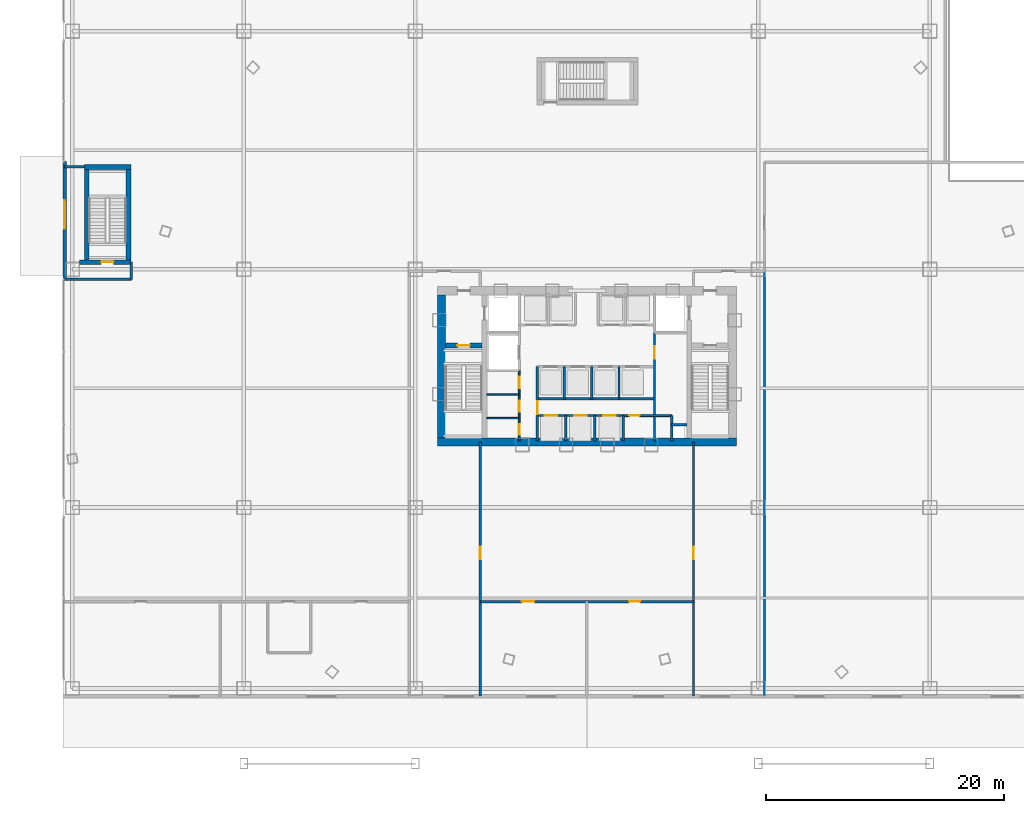
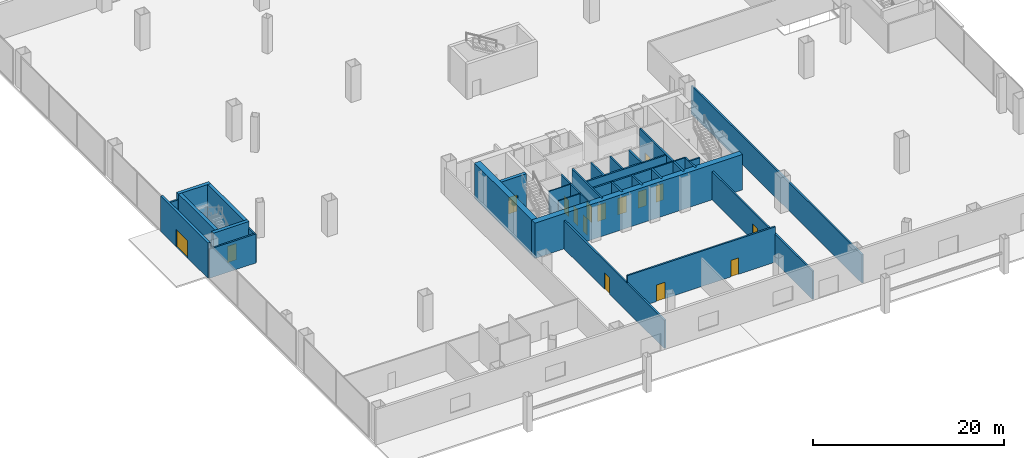
# One storey, part 50 of 58: 31 walls, 16 doors, 16 openings.
"""IFC4 building model written with IfcOpenShell, lengths in metres."""

import ifcopenshell
import ifcopenshell.guid

model = None  # the IFC model being written
_history = None  # IfcOwnerHistory: only IFC2X3 demands one
_inside = {}  # id of a spatial element -> (the spatial element, [elements in it])
_under = {}  # id of a project, library or spatial element -> (it, [spatial elements below it])
_declared = {}  # id of a project -> (the project, [libraries it declares])
_typed = {}  # id of a type object -> (the type object, [elements of that type])
_made_of = {}  # id of a material, layer set ... -> (it, [elements and type objects made of it])


def new_model(schema):
    """Start an empty IFC model of exactly this schema.

    Asked for "IFC4X3", IfcOpenShell would pick the latest addendum, in which some entities
    have other attributes; the version numbers below select the first issue.
    IFC2X3 requires an IfcOwnerHistory on every rooted entity: one is made here for all.
    """
    global model, _history
    if schema == "IFC4X3":
        model = ifcopenshell.file(schema_version=(4, 3, 0, 0))
    else:
        model = ifcopenshell.file(schema=schema)
    _inside.clear()
    _under.clear()
    _declared.clear()
    _typed.clear()
    _made_of.clear()
    _history = None
    if model.schema == "IFC2X3":
        org = make("IfcOrganization", Name="unknown")
        user = make(
            "IfcPersonAndOrganization",
            ThePerson=make("IfcPerson", FamilyName="unknown"),
            TheOrganization=org,
        )
        app = make(
            "IfcApplication",
            ApplicationDeveloper=org,
            Version="unknown",
            ApplicationFullName="unknown",
            ApplicationIdentifier="unknown",
        )
        _history = make(
            "IfcOwnerHistory",
            OwningUser=user,
            OwningApplication=app,
            ChangeAction="ADDED",
            CreationDate=0,
        )
    return model


def make(cls, **values):
    """One entity of the class cls with the attributes given. An attribute that is None is left unset."""
    return model.create_entity(
        cls, **{name: value for name, value in values.items() if value is not None}
    )


def rooted(cls, **values):
    """An entity with a GlobalId (a new one), such as an element, a storey or a relation."""
    return make(cls, GlobalId=ifcopenshell.guid.new(), OwnerHistory=_history, **values)


def si_unit(unit_type, name, prefix=None):
    """IfcSIUnit, for example si_unit("LENGTHUNIT", "METRE", prefix="MILLI")."""
    return make("IfcSIUnit", UnitType=unit_type, Prefix=prefix, Name=name)


def assignment(units):
    """IfcUnitAssignment: the units of a project."""
    return None if units is None else make("IfcUnitAssignment", Units=units)


def point(xyz):
    """IfcCartesianPoint."""
    return None if xyz is None else make("IfcCartesianPoint", Coordinates=xyz)


def direction(xyz):
    """IfcDirection."""
    return None if xyz is None else make("IfcDirection", DirectionRatios=xyz)


def frame(location, z_axis=None, x_axis=None):
    """IfcAxis2Placement3D, a coordinate frame: its origin and axes. An axis left out is left unset."""
    return make(
        "IfcAxis2Placement3D",
        Location=point(location),
        Axis=direction(z_axis),
        RefDirection=direction(x_axis),
    )


def frame_2d(location, x_axis=None):
    """IfcAxis2Placement2D, a coordinate frame in the plane: its origin and x axis."""
    return make(
        "IfcAxis2Placement2D", Location=point(location), RefDirection=direction(x_axis)
    )


def origin():
    """The frame at (0, 0, 0) with its axes left unset."""
    return frame((0.0, 0.0, 0.0))


def origin_with_axes():
    """The frame at (0, 0, 0) with the z axis (0, 0, 1) and the x axis (1, 0, 0) written out."""
    return frame((0.0, 0.0, 0.0), z_axis=(0.0, 0.0, 1.0), x_axis=(1.0, 0.0, 0.0))


def place(relative_to, where):
    """IfcLocalPlacement: puts the frame where relative to a parent placement (None: the world)."""
    return make(
        "IfcLocalPlacement", PlacementRelTo=relative_to, RelativePlacement=where
    )


def context(
    kind, dimensions, precision=None, world=None, true_north=None, identifier=None
):
    """IfcGeometricRepresentationContext, for example the 3D "Model" context."""
    return make(
        "IfcGeometricRepresentationContext",
        ContextIdentifier=identifier,
        ContextType=kind,
        CoordinateSpaceDimension=dimensions,
        Precision=precision,
        WorldCoordinateSystem=world,
        TrueNorth=true_north,
    )


def subcontext(parent, identifier, kind, view, scale=None):
    """IfcGeometricRepresentationSubContext, for example "Body" below "Model"."""
    return make(
        "IfcGeometricRepresentationSubContext",
        ContextIdentifier=identifier,
        ContextType=kind,
        ParentContext=parent,
        TargetScale=scale,
        TargetView=view,
    )


def project(units=None, contexts=None):
    """IfcProject with its units and contexts."""
    return rooted(
        "IfcProject",
        Name="project",
        RepresentationContexts=contexts,
        UnitsInContext=assignment(units),
    )


def spatial(cls, under=None, at=None, **own):
    """A site, building, storey or space (cls), placed at a placement, below another one or the project."""
    s = rooted(cls, ObjectPlacement=at, **own)
    if under is not None:
        _under.setdefault(under.id(), (under, []))[1].append(s)
    return s


def profile(cls, at=None, kind="AREA", **sizes):
    """A parametric profile (cls). Its sizes go by their IFC names, for example OverallWidth=200.0."""
    return make(cls, ProfileType=kind, Position=at, **sizes)


def rectangle(**sizes):
    """IfcRectangleProfileDef."""
    return profile("IfcRectangleProfileDef", **sizes)


def extrude(swept, where, along, depth):
    """IfcExtrudedAreaSolid: the profile swept, set in the frame where, extruded along a direction by depth."""
    return make(
        "IfcExtrudedAreaSolid",
        SweptArea=swept,
        Position=where,
        ExtrudedDirection=direction(along),
        Depth=depth,
    )


def shape(context_of_items, identifier, shape_type, items):
    """IfcShapeRepresentation: the items that make up one representation, for example the "Body"."""
    return make(
        "IfcShapeRepresentation",
        ContextOfItems=context_of_items,
        RepresentationIdentifier=identifier,
        RepresentationType=shape_type,
        Items=items,
    )


def source(mapping_origin, context_of_items, identifier, shape_type, items):
    """IfcRepresentationMap: a shape defined once, which mapped items show again and again."""
    return make(
        "IfcRepresentationMap",
        MappingOrigin=mapping_origin,
        MappedRepresentation=shape(context_of_items, identifier, shape_type, items),
    )


def transform(
    local_origin,
    x_axis=None,
    y_axis=None,
    z_axis=None,
    scale=None,
    scale2=None,
    scale3=None,
    uniform=True,
):
    """IfcCartesianTransformationOperator3D, or its non-uniform kind. x_axis, y_axis, z_axis: its Axis1, 2, 3."""
    if uniform:
        return make(
            "IfcCartesianTransformationOperator3D",
            Axis1=direction(x_axis),
            Axis2=direction(y_axis),
            LocalOrigin=point(local_origin),
            Scale=scale,
            Axis3=direction(z_axis),
        )
    return make(
        "IfcCartesianTransformationOperator3DnonUniform",
        Axis1=direction(x_axis),
        Axis2=direction(y_axis),
        LocalOrigin=point(local_origin),
        Scale=scale,
        Axis3=direction(z_axis),
        Scale2=scale2,
        Scale3=scale3,
    )


def mapped(mapping_source, mapping_target):
    """IfcMappedItem: shows the shape of a source again, moved by a transform."""
    return make(
        "IfcMappedItem", MappingSource=mapping_source, MappingTarget=mapping_target
    )


def material(Name=None, Category=None):
    """IfcMaterial."""
    return make("IfcMaterial", Name=Name, Category=Category)


def layer(
    of_material, thickness, ventilated=None, Name=None, Category=None, Priority=None
):
    """IfcMaterialLayer: one layer of a wall or slab, of a material (None: an air gap)."""
    return make(
        "IfcMaterialLayer",
        Material=of_material,
        LayerThickness=thickness,
        IsVentilated=ventilated,
        Name=Name,
        Category=Category,
        Priority=Priority,
    )


def layer_set(layers, Name=None):
    """IfcMaterialLayerSet."""
    return make("IfcMaterialLayerSet", MaterialLayers=layers, LayerSetName=Name)


def made_of(thing, what):
    """Note that an element or type object is made of a material, layer set ...; save() writes the relation."""
    if what is not None:
        _made_of.setdefault(what.id(), (what, []))[1].append(thing)
    return thing


def type_object(cls, material=None, **own):
    """A type object (cls), such as IfcWallType, which elements share."""
    return made_of(rooted(cls, **own), material)


def element(
    cls,
    number,
    at=None,
    inside=None,
    cuts=None,
    type_object=None,
    material=None,
    context=None,
    identifier="Body",
    shape_type=None,
    held_by="IfcProductDefinitionShape",
    body=None,
    shapes=None,
    **own,
):
    """One element of the class cls, such as IfcWall. Its Tag is "e" and its number.

    at: its placement. inside: the storey or other place that contains it. cuts: it is an
    opening in that element (IfcRelVoidsElement). A single representation is given by context,
    identifier, shape_type and body (its items); several are given by shapes. held_by: the class
    of the entity that holds the representations. save() writes the other relations.
    """
    e = rooted(cls, Tag="e%d" % number, ObjectPlacement=at, **own)
    if body is not None:
        shapes = [shape(context, identifier, shape_type, body)]
    if shapes is not None:
        e.Representation = make(held_by, Representations=shapes)
    if inside is not None:
        _inside.setdefault(inside.id(), (inside, []))[1].append(e)
    if cuts is not None:
        rooted(
            "IfcRelVoidsElement", RelatingBuildingElement=cuts, RelatedOpeningElement=e
        )
    if type_object is not None:
        _typed.setdefault(type_object.id(), (type_object, []))[1].append(e)
    return made_of(e, material)


def fill(opening, filler):
    """IfcRelFillsElement: the door or window that sits in an opening."""
    return rooted(
        "IfcRelFillsElement",
        RelatingOpeningElement=opening,
        RelatedBuildingElement=filler,
    )


def aggregate(whole, parts):
    """IfcRelAggregates: a whole, such as a stair, and the parts it consists of."""
    return rooted("IfcRelAggregates", RelatingObject=whole, RelatedObjects=parts)


def save(model, path):
    """Write the relations noted so far, then the file.

    IfcRelAggregates (storeys below a building ...), IfcRelContainedInSpatialStructure (elements
    in a storey), IfcRelDefinesByType, IfcRelAssociatesMaterial and IfcRelDeclares: one each for
    every whole, place, type object, material and project.
    """
    for whole, parts in _under.values():
        aggregate(whole, parts)
    for where, things in _inside.values():
        rooted(
            "IfcRelContainedInSpatialStructure",
            RelatedElements=things,
            RelatingStructure=where,
        )
    for kind, things in _typed.values():
        rooted("IfcRelDefinesByType", RelatedObjects=things, RelatingType=kind)
    for what, things in _made_of.values():
        rooted("IfcRelAssociatesMaterial", RelatedObjects=things, RelatingMaterial=what)
    for by, libraries in _declared.values():
        rooted("IfcRelDeclares", RelatingContext=by, RelatedDefinitions=libraries)
    model.write(path)


model = new_model("IFC4")

# Units and contexts
model_context = context("Model", 3, precision=1e-05, world=origin(), true_north=direction((0.0, 1.0)))
body_context = subcontext(model_context, "Body", "Model", "MODEL_VIEW")
ifc_project = project(units=[si_unit("LENGTHUNIT", "METRE"), si_unit("AREAUNIT", "SQUARE_METRE"), si_unit("VOLUMEUNIT", "CUBIC_METRE"), si_unit("PLANEANGLEUNIT", "RADIAN"), si_unit("MASSUNIT", "GRAM", prefix="KILO"), si_unit("THERMODYNAMICTEMPERATUREUNIT", "KELVIN"), si_unit("POWERUNIT", "WATT")], contexts=[model_context])

# Site, building, storey
site_placement = place(None, origin())
site = spatial("IfcSite", under=ifc_project, at=site_placement, CompositionType="ELEMENT")
building_placement = place(site_placement, origin())
building = spatial("IfcBuilding", under=site, at=building_placement, Name="Yunzhuo Pagoda Commons", CompositionType="ELEMENT")
storey_placement = place(building_placement, origin())
storey = spatial("IfcBuildingStorey", under=building, at=storey_placement, Name="L01", CompositionType="ELEMENT", Elevation=0.0)

# Walls
ifc_material_1 = material(Name="Concrete C60", Category="concrete")
ifc_layer_1 = layer(ifc_material_1, 0.699951171875)
ifc_layer_set_1 = layer_set([ifc_layer_1], Name="Concrete C60")
wall_type_1 = type_object("IfcWallType", Name="W-C01 Lower Core Shear Wall 700", PredefinedType="SHEAR", material=ifc_layer_set_1)
wall_1_placement = place(storey_placement, frame((35.449951171875, 27.5, 0.0), z_axis=(0.0, 0.0, 1.0), x_axis=(1.0, 0.0, 0.0)))
element("IfcWall", 1, at=wall_1_placement, inside=storey, type_object=wall_type_1, Name="L01 core shear wall S", PredefinedType="SHEAR", context=body_context, shape_type="SweptSolid", body=[
    extrude(rectangle(XDim=25.10009765625, YDim=0.699951171875, at=frame_2d((12.550048828125, 0.0))), origin(), (0.0, 0.0, 1.0), 4.52001953125),
])
wall_2_placement = place(storey_placement, frame((35.800048828125, 27.85009765625, 0.0), z_axis=(0.0, 0.0, 1.0), x_axis=(0.0, 1.0, 0.0)))
element("IfcWall", 2, at=wall_2_placement, inside=storey, type_object=wall_type_1, Name="L01 core shear wall W", PredefinedType="SHEAR", context=body_context, shape_type="SweptSolid", body=[
    extrude(rectangle(XDim=12.0, YDim=0.699951171875, at=frame_2d((6.0, 0.0))), origin(), (0.0, 0.0, 1.0), 4.52001953125),
])

# Wall, openings, doors
ifc_material_2 = material(Name="Gypsum plasterboard on acoustic stud")
ifc_layer_2 = layer(ifc_material_2, 0.159912109375)
ifc_layer_set_2 = layer_set([ifc_layer_2], Name="Gypsum plasterboard on acoustic stud")
wall_type_2 = type_object("IfcWallType", Name="W-COR1 Tower Rated Corridor Wall 160", PredefinedType="PARTITIONING", material=ifc_layer_set_2)
wall_3_placement = place(storey_placement, frame((42.320068359375, 27.60009765625, 0.0), z_axis=(0.0, 0.0, 1.0), x_axis=(0.0, 1.0, 0.0)))
wall_3 = element("IfcWall", 3, at=wall_3_placement, inside=storey, type_object=wall_type_2, Name="L01 interior wall IW-L01-CSWE", PredefinedType="PARTITIONING", context=body_context, shape_type="SweptSolid", body=[
    extrude(rectangle(XDim=5.89990234375, YDim=0.159912109375, at=frame_2d((2.949951171875, 0.0))), origin(), (0.0, 0.0, 1.0), 4.52001953125),
])
opening_1_placement = place(wall_3_placement, frame((0.5, 0.0, 0.0)))
opening_1 = element("IfcOpeningElement", 4, at=opening_1_placement, cuts=wall_3, Name="Opening D-03", PredefinedType="OPENING", context=body_context, shape_type="SweptSolid", body=[
    extrude(rectangle(XDim=0.89990234375, YDim=2.10009765625, at=frame_2d((0.449951171875, 1.050048828125))), frame((0.0, 0.08984375, 0.0), z_axis=(0.0, -1.0, 0.0), x_axis=(1.0, 0.0, 0.0)), (0.0, 0.0, 1.0), 0.179931640625),
])
opening_2_placement = place(wall_3_placement, frame((2.449951171875, 0.0, 0.0)))
opening_2 = element("IfcOpeningElement", 5, at=opening_2_placement, cuts=wall_3, Name="Opening D-03", PredefinedType="OPENING", context=body_context, shape_type="SweptSolid", body=[
    extrude(rectangle(XDim=0.89990234375, YDim=2.10009765625, at=frame_2d((0.449951171875, 1.050048828125))), frame((0.0, 0.08984375, 0.0), z_axis=(0.0, -1.0, 0.0), x_axis=(1.0, 0.0, 0.0)), (0.0, 0.0, 1.0), 0.179931640625),
])
opening_3_placement = place(wall_3_placement, frame((4.419921875, 0.0, 0.0)))
opening_3 = element("IfcOpeningElement", 6, at=opening_3_placement, cuts=wall_3, Name="Opening D-11", PredefinedType="OPENING", context=body_context, shape_type="SweptSolid", body=[
    extrude(rectangle(XDim=0.93994140625, YDim=2.10009765625, at=frame_2d((0.469970703125, 1.050048828125))), frame((0.0, 0.08984375, 0.0), z_axis=(0.0, -1.0, 0.0), x_axis=(1.0, 0.0, 0.0)), (0.0, 0.0, 1.0), 0.179931640625),
])
ifc_material_3 = material(Name="Galvanized fire-resisting metal leaf")
door_type_1 = type_object("IfcDoorType", Name="D-03 Core Service Fire Door 900x2100", OperationType="NOTDEFINED", PredefinedType="DOOR", material=ifc_material_3)
shared_shape_1 = source(origin(), body_context, "Body", "SweptSolid", [
    extrude(rectangle(XDim=0.89990234375, YDim=2.10009765625, at=frame_2d((0.449951171875, 1.050048828125))), frame((0.0, 0.02490234375, 0.0), z_axis=(0.0, -1.0, 0.0), x_axis=(1.0, 0.0, 0.0)), (0.0, 0.0, 1.0), 0.050048828125),
])
door_1_placement = place(opening_1_placement, origin_with_axes())
door_1 = element("IfcDoor", 7, at=door_1_placement, inside=storey, type_object=door_type_1, Name="L01 switch door", OperationType="SINGLE_SWING_RIGHT", OverallHeight=2.10009765625, OverallWidth=0.89990234375, PredefinedType="DOOR", context=body_context, shape_type="MappedRepresentation", body=[
    mapped(shared_shape_1, transform((0.0, 0.0, 0.0), scale=1.0)),
])
fill(opening_1, door_1)
door_2_placement = place(opening_2_placement, origin_with_axes())
door_2 = element("IfcDoor", 8, at=door_2_placement, inside=storey, type_object=door_type_1, Name="L01 cleaner door", OperationType="SINGLE_SWING_RIGHT", OverallHeight=2.10009765625, OverallWidth=0.89990234375, PredefinedType="DOOR", context=body_context, shape_type="MappedRepresentation", body=[
    mapped(shared_shape_1, transform((0.0, 0.0, 0.0), scale=1.0)),
])
fill(opening_2, door_2)
door_type_2 = type_object("IfcDoorType", Name="D-11 Accessible Washroom Fire Door 940x2100", OperationType="NOTDEFINED", PredefinedType="DOOR", material=ifc_material_3)
shared_shape_2 = source(origin(), body_context, "Body", "SweptSolid", [
    extrude(rectangle(XDim=0.93994140625, YDim=2.10009765625, at=frame_2d((0.469970703125, 1.050048828125))), frame((0.0, 0.02490234375, 0.0), z_axis=(0.0, -1.0, 0.0), x_axis=(1.0, 0.0, 0.0)), (0.0, 0.0, 1.0), 0.050048828125),
])
door_3_placement = place(opening_3_placement, origin_with_axes())
door_3 = element("IfcDoor", 9, at=door_3_placement, inside=storey, type_object=door_type_2, Name="L01 core WC door", OperationType="SINGLE_SWING_LEFT", OverallHeight=2.10009765625, OverallWidth=0.93994140625, PredefinedType="DOOR", context=body_context, shape_type="MappedRepresentation", body=[
    mapped(shared_shape_2, transform((0.0, 0.0, 0.0), scale=1.0)),
])
fill(opening_3, door_3)

# Wall, opening, door
wall_4_placement = place(storey_placement, frame((51.050048828125, 29.719970703125, 0.0), z_axis=(0.0, 0.0, 1.0), x_axis=(1.0, 0.0, 0.0)))
wall_4 = element("IfcWall", 10, at=wall_4_placement, inside=storey, type_object=wall_type_2, Name="L01 interior wall IW-L01-CSES", PredefinedType="PARTITIONING", context=body_context, shape_type="SweptSolid", body=[
    extrude(rectangle(XDim=4.070068359375, YDim=0.159912109375, at=frame_2d((2.03515625, 0.0))), origin(), (0.0, 0.0, 1.0), 4.52001953125),
])
opening_4_placement = place(wall_4_placement, frame((0.5, 0.0, 0.0)))
opening_4 = element("IfcOpeningElement", 11, at=opening_4_placement, cuts=wall_4, Name="Opening D-03", PredefinedType="OPENING", context=body_context, shape_type="SweptSolid", body=[
    extrude(rectangle(XDim=0.89990234375, YDim=2.10009765625, at=frame_2d((0.449951171875, 1.050048828125))), frame((0.0, 0.08984375, 0.0), z_axis=(0.0, -1.0, 0.0), x_axis=(1.0, 0.0, 0.0)), (0.0, 0.0, 1.0), 0.179931640625),
])
door_4_placement = place(opening_4_placement, origin_with_axes())
door_4 = element("IfcDoor", 12, at=door_4_placement, inside=storey, type_object=door_type_1, Name="L01 core pantry door", OperationType="SINGLE_SWING_RIGHT", OverallHeight=2.10009765625, OverallWidth=0.89990234375, PredefinedType="DOOR", context=body_context, shape_type="MappedRepresentation", body=[
    mapped(shared_shape_1, transform((0.0, 0.0, 0.0), scale=1.0)),
])
fill(opening_4, door_4)

ifc_material_4 = material(Name="Precast concrete C40", Category="concrete")
ifc_layer_3 = layer(ifc_material_4, 0.300048828125)
ifc_layer_set_3 = layer_set([ifc_layer_3], Name="Precast concrete C40")
wall_type_3 = type_object("IfcWallType", Name="W-EXT1 Podium Precast Spandrel Wall 300", PredefinedType="STANDARD", material=ifc_layer_set_3)
wall_5_placement = place(storey_placement, frame((4.14990234375, 41.14990234375, 0.0), z_axis=(0.0, 0.0, 1.0), x_axis=(0.0, 1.0, 0.0)))
wall_5 = element("IfcWall", 13, at=wall_5_placement, inside=storey, type_object=wall_type_3, Name="L01 west stair vestibule facade wall", PredefinedType="STANDARD", context=body_context, shape_type="SweptSolid", body=[
    extrude(rectangle(XDim=9.900146484375, YDim=0.300048828125, at=frame_2d((4.9501953125, 0.0))), origin(), (0.0, 0.0, 1.0), 4.52001953125),
])
opening_5_placement = place(wall_5_placement, frame((4.25, 0.0, 0.0)))
opening_5 = element("IfcOpeningElement", 14, at=opening_5_placement, cuts=wall_5, Name="Opening D-EXT1", PredefinedType="OPENING", context=body_context, shape_type="SweptSolid", body=[
    extrude(rectangle(XDim=2.39990234375, YDim=2.199951171875, at=frame_2d((1.199951171875, 1.10009765625))), frame((0.0, 0.16015625, 0.0), z_axis=(0.0, -1.0, 0.0), x_axis=(1.0, 0.0, 0.0)), (0.0, 0.0, 1.0), 0.320068359375),
])
ifc_material_5 = material(Name="Anodized aluminium frame and tempered glazed leaf", Category="aluminium")
door_type_3 = type_object("IfcDoorType", Name="D-EXT1 Double Glazed Pedestrian Exit Door 2400x2200", OperationType="DOUBLE_DOOR_SINGLE_SWING", PredefinedType="DOOR", material=ifc_material_5)
shared_shape_3 = source(origin(), body_context, "Body", "SweptSolid", [
    extrude(rectangle(XDim=2.39990234375, YDim=2.199951171875, at=frame_2d((1.199951171875, 1.10009765625))), frame((0.0, 0.02490234375, 0.0), z_axis=(0.0, -1.0, 0.0), x_axis=(1.0, 0.0, 0.0)), (0.0, 0.0, 1.0), 0.050048828125),
])
door_5_placement = place(opening_5_placement, origin_with_axes())
door_5 = element("IfcDoor", 15, at=door_5_placement, inside=storey, type_object=door_type_3, Name="PS3 west exit plaza discharge door", OperationType="DOUBLE_DOOR_SINGLE_SWING", OverallHeight=2.199951171875, OverallWidth=2.39990234375, PredefinedType="DOOR", context=body_context, shape_type="MappedRepresentation", body=[
    mapped(shared_shape_3, transform((0.0, 0.0, 0.0), scale=1.0)),
])
fill(opening_5, door_5)

# Walls
ifc_layer_4 = layer(ifc_material_2, 0.1201171875)
ifc_layer_set_4 = layer_set([ifc_layer_4], Name="Gypsum plasterboard on acoustic stud")
wall_type_4 = type_object("IfcWallType", Name="W-PRT1 Suite & Bathroom Partition 120", PredefinedType="PARTITIONING", material=ifc_layer_set_4)
for number, where, z_axis, x_axis, name in (
    (16, (39.60009765625, 29.5, 0.0), (0.0, 0.0, 1.0), (1.0, 0.0, 0.0), "L01 interior wall IW-L01-CC1"),
    (17, (39.60009765625, 31.5, 0.0), (0.0, 0.0, 1.0), (1.0, 0.0, 0.0), "L01 interior wall IW-L01-CC2"),
):
    element("IfcWall", number, at=place(storey_placement, frame(where, z_axis=z_axis, x_axis=x_axis)), inside=storey, type_object=wall_type_4, Name=name, PredefinedType="PARTITIONING", context=body_context, shape_type="SweptSolid", body=[
        extrude(rectangle(XDim=2.719970703125, YDim=0.1201171875, at=frame_2d((1.35986328125, 0.0))), origin(), (0.0, 0.0, 1.0), 4.52001953125),
    ])

# Wall, opening, door
ifc_layer_5 = layer(ifc_material_1, 0.39990234375)
ifc_layer_set_5 = layer_set([ifc_layer_5], Name="Concrete C60")
wall_type_5 = type_object("IfcWallType", Name="W-S01 Internal Core Shear Web 400", PredefinedType="SHEAR", material=ifc_layer_set_5)
wall_6_placement = place(storey_placement, frame((36.14990234375, 35.60009765625, 0.0), z_axis=(0.0, 0.0, 1.0), x_axis=(1.0, 0.0, 0.0)))
wall_6 = element("IfcWall", 18, at=wall_6_placement, inside=storey, type_object=wall_type_5, Name="L01 core shear wall STW", PredefinedType="SHEAR", context=body_context, shape_type="SweptSolid", body=[
    extrude(rectangle(XDim=3.050048828125, YDim=0.39990234375, at=frame_2d((1.52490234375, 0.0))), origin(), (0.0, 0.0, 1.0), 4.52001953125),
])
opening_6_placement = place(wall_6_placement, frame((0.969970703125, 0.0, 0.0)))
opening_6 = element("IfcOpeningElement", 19, at=opening_6_placement, cuts=wall_6, Name="Opening D-01", PredefinedType="OPENING", context=body_context, shape_type="SweptSolid", body=[
    extrude(rectangle(XDim=1.050048828125, YDim=2.10009765625, at=frame_2d((0.52490234375, 1.050048828125))), frame((0.0, 0.2099609375, 0.0), z_axis=(0.0, -1.0, 0.0), x_axis=(1.0, 0.0, 0.0)), (0.0, 0.0, 1.0), 0.419921875),
])
door_type_4 = type_object("IfcDoorType", Name="D-01 Smokeproof Stair Fire Door 1050x2100", OperationType="NOTDEFINED", PredefinedType="DOOR", material=ifc_material_3)
shared_shape_4 = source(origin(), body_context, "Body", "SweptSolid", [
    extrude(rectangle(XDim=1.050048828125, YDim=2.10009765625, at=frame_2d((0.52490234375, 1.050048828125))), frame((0.0, 0.02490234375, 0.0), z_axis=(0.0, -1.0, 0.0), x_axis=(1.0, 0.0, 0.0)), (0.0, 0.0, 1.0), 0.050048828125),
])
door_6_placement = place(opening_6_placement, origin_with_axes())
door_6 = element("IfcDoor", 20, at=door_6_placement, inside=storey, type_object=door_type_4, Name="L01 Stair ST1 fire door", OperationType="SINGLE_SWING_LEFT", OverallHeight=2.10009765625, OverallWidth=1.050048828125, PredefinedType="DOOR", context=body_context, shape_type="MappedRepresentation", body=[
    mapped(shared_shape_4, transform((0.0, 0.0, 0.0), scale=1.0)),
])
fill(opening_6, door_6)

# Wall
wall_7_placement = place(storey_placement, frame((5.800048828125, 50.60009765625, 0.0), z_axis=(0.0, 0.0, 1.0), x_axis=(1.0, 0.0, 0.0)))
element("IfcWall", 21, at=wall_7_placement, inside=storey, type_object=wall_type_5, Name="L01 PS3 structural stair wall N", PredefinedType="SHEAR", context=body_context, shape_type="SweptSolid", body=[
    extrude(rectangle(XDim=3.89990234375, YDim=0.39990234375, at=frame_2d((1.949951171875, 0.0))), origin(), (0.0, 0.0, 1.0), 4.52001953125),
])

# Wall, opening, door
wall_8_placement = place(storey_placement, frame((5.39990234375, 42.60009765625, 0.0), z_axis=(0.0, 0.0, 1.0), x_axis=(1.0, 0.0, 0.0)))
wall_8 = element("IfcWall", 22, at=wall_8_placement, inside=storey, type_object=wall_type_5, Name="L01 PS3 structural stair wall S", PredefinedType="SHEAR", context=body_context, shape_type="SweptSolid", body=[
    extrude(rectangle(XDim=4.300048828125, YDim=0.39990234375, at=frame_2d((2.14990234375, 0.0))), origin(), (0.0, 0.0, 1.0), 4.52001953125),
])
opening_7_placement = place(wall_8_placement, frame((1.820068359375, 0.0, 0.0)))
opening_7 = element("IfcOpeningElement", 23, at=opening_7_placement, cuts=wall_8, Name="Opening D-01", PredefinedType="OPENING", context=body_context, shape_type="SweptSolid", body=[
    extrude(rectangle(XDim=1.050048828125, YDim=2.10009765625, at=frame_2d((0.52490234375, 1.050048828125))), frame((0.0, 0.2099609375, 0.0), z_axis=(0.0, -1.0, 0.0), x_axis=(1.0, 0.0, 0.0)), (0.0, 0.0, 1.0), 0.419921875),
])
door_7_placement = place(opening_7_placement, frame((1.050048828125, 0.0, 0.0), z_axis=(0.0, 0.0, 1.0), x_axis=(-1.0, 0.0, 0.0)))
door_7 = element("IfcDoor", 24, at=door_7_placement, inside=storey, type_object=door_type_4, Name="L01 PS3 exit discharge door", OperationType="SINGLE_SWING_LEFT", OverallHeight=2.10009765625, OverallWidth=1.050048828125, PredefinedType="DOOR", context=body_context, shape_type="MappedRepresentation", body=[
    mapped(shared_shape_4, transform((0.0, 0.0, 0.0), scale=1.0)),
])
fill(opening_7, door_7)

# Walls
for number, where, z_axis, x_axis, name in (
    (25, (6.0, 42.800048828125, 0.0), (0.0, 0.0, 1.0), (0.0, 1.0, 0.0), "L01 PS3 structural stair wall W"),
    (26, (9.5, 42.800048828125, 0.0), (0.0, 0.0, 1.0), (0.0, 1.0, 0.0), "L01 PS3 structural stair wall E"),
):
    element("IfcWall", number, at=place(storey_placement, frame(where, z_axis=z_axis, x_axis=x_axis)), inside=storey, type_object=wall_type_5, Name=name, PredefinedType="SHEAR", context=body_context, shape_type="SweptSolid", body=[
        extrude(rectangle(XDim=7.599853515625, YDim=0.39990234375, at=frame_2d((3.7998046875, 0.0))), origin(), (0.0, 0.0, 1.0), 4.52001953125),
    ])

# Wall, opening, door
ifc_material_6 = material(Name="Concrete C40", Category="concrete")
ifc_layer_6 = layer(ifc_material_6, 0.199951171875)
ifc_layer_set_6 = layer_set([ifc_layer_6], Name="Concrete C40")
wall_type_6 = type_object("IfcWallType", Name="W-SHF Shaft & Stair Enclosure Wall 200", PredefinedType="SOLIDWALL", material=ifc_layer_set_6)
wall_9_placement = place(storey_placement, frame((43.85009765625, 27.60009765625, 0.0), z_axis=(0.0, 0.0, 1.0), x_axis=(0.0, 1.0, 0.0)))
wall_9 = element("IfcWall", 27, at=wall_9_placement, inside=storey, type_object=wall_type_6, Name="L01 interior wall IW-L01-PLMW", PredefinedType="SOLIDWALL", context=body_context, shape_type="SweptSolid", body=[
    extrude(rectangle(XDim=6.219970703125, YDim=0.199951171875, at=frame_2d((3.10986328125, 0.0))), origin(), (0.0, 0.0, 1.0), 4.52001953125),
])
opening_8_placement = place(wall_9_placement, frame((2.25, 0.0, 0.0)))
opening_8 = element("IfcOpeningElement", 28, at=opening_8_placement, cuts=wall_9, Name="Opening D-02", PredefinedType="OPENING", context=body_context, shape_type="SweptSolid", body=[
    extrude(rectangle(XDim=1.050048828125, YDim=2.10009765625, at=frame_2d((0.52490234375, 1.050048828125))), frame((0.0, 0.10986328125, 0.0), z_axis=(0.0, -1.0, 0.0), x_axis=(1.0, 0.0, 0.0)), (0.0, 0.0, 1.0), 0.219970703125),
])
door_type_5 = type_object("IfcDoorType", Name="D-02 Firefighting Lobby & Refuge Fire Door 1050x2100", OperationType="NOTDEFINED", PredefinedType="DOOR", material=ifc_material_3)
door_8_placement = place(opening_8_placement, frame((1.050048828125, 0.0, 0.0), z_axis=(0.0, 0.0, 1.0), x_axis=(-1.0, 0.0, 0.0)))
door_8 = element("IfcDoor", 29, at=door_8_placement, inside=storey, type_object=door_type_5, Name="L01 High-bank hall west door", OperationType="SINGLE_SWING_LEFT", OverallHeight=2.10009765625, OverallWidth=1.050048828125, PredefinedType="DOOR", context=body_context, shape_type="MappedRepresentation", body=[
    mapped(shared_shape_4, transform((0.0, 0.0, 0.0), scale=1.0)),
])
fill(opening_8, door_8)

wall_10_placement = place(storey_placement, frame((53.679931640625, 27.60009765625, 0.0), z_axis=(0.0, 0.0, 1.0), x_axis=(0.0, 1.0, 0.0)))
wall_10 = element("IfcWall", 30, at=wall_10_placement, inside=storey, type_object=wall_type_6, Name="L01 interior wall IW-L01-PLME", PredefinedType="SOLIDWALL", context=body_context, shape_type="SweptSolid", body=[
    extrude(rectangle(XDim=9.0498046875, YDim=0.199951171875, at=frame_2d((4.52490234375, 0.0))), origin(), (0.0, 0.0, 1.0), 4.52001953125),
])
opening_9_placement = place(wall_10_placement, frame((6.89990234375, 0.0, 0.0)))
opening_9 = element("IfcOpeningElement", 31, at=opening_9_placement, cuts=wall_10, Name="Opening D-02", PredefinedType="OPENING", context=body_context, shape_type="SweptSolid", body=[
    extrude(rectangle(XDim=1.050048828125, YDim=2.10009765625, at=frame_2d((0.52490234375, 1.050048828125))), frame((0.0, 0.10986328125, 0.0), z_axis=(0.0, -1.0, 0.0), x_axis=(1.0, 0.0, 0.0)), (0.0, 0.0, 1.0), 0.219970703125),
])
door_9_placement = place(opening_9_placement, origin_with_axes())
door_9 = element("IfcDoor", 32, at=door_9_placement, inside=storey, type_object=door_type_5, Name="L01 High-bank lift hall door", OperationType="SINGLE_SWING_RIGHT", OverallHeight=2.10009765625, OverallWidth=1.050048828125, PredefinedType="DOOR", context=body_context, shape_type="MappedRepresentation", body=[
    mapped(shared_shape_4, transform((0.0, 0.0, 0.0), scale=1.0)),
])
fill(opening_9, door_9)

# Walls
for number, where, z_axis, x_axis, name in (
    (33, (46.10009765625, 31.1201171875, 0.0), (0.0, 0.0, 1.0), (0.0, 1.0, 0.0), "L01 interior wall IW-L01-PLMD1"),
    (34, (48.39990234375, 31.1201171875, 0.0), (0.0, 0.0, 1.0), (0.0, 1.0, 0.0), "L01 interior wall IW-L01-PLMD2"),
    (35, (50.699951171875, 31.1201171875, 0.0), (0.0, 0.0, 1.0), (0.0, 1.0, 0.0), "L01 interior wall IW-L01-PLMD3"),
):
    element("IfcWall", number, at=place(storey_placement, frame(where, z_axis=z_axis, x_axis=x_axis)), inside=storey, type_object=wall_type_6, Name=name, PredefinedType="SOLIDWALL", context=body_context, shape_type="SweptSolid", body=[
        extrude(rectangle(XDim=2.699951171875, YDim=0.199951171875, at=frame_2d((1.35009765625, 0.0))), origin(), (0.0, 0.0, 1.0), 4.52001953125),
    ])

# Wall, openings, doors
wall_11_placement = place(storey_placement, frame((43.85009765625, 29.719970703125, 0.0), z_axis=(0.0, 0.0, 1.0), x_axis=(1.0, 0.0, 0.0)))
wall_11 = element("IfcWall", 36, at=wall_11_placement, inside=storey, type_object=wall_type_6, Name="L01 interior wall IW-L01-PLHN", PredefinedType="SOLIDWALL", context=body_context, shape_type="SweptSolid", body=[
    extrude(rectangle(XDim=7.199951171875, YDim=0.199951171875, at=frame_2d((3.60009765625, 0.0))), origin(), (0.0, 0.0, 1.0), 4.52001953125),
])
opening_10_placement = place(wall_11_placement, frame((0.625, 0.0, 0.0)))
opening_10 = element("IfcOpeningElement", 37, at=opening_10_placement, cuts=wall_11, Name="Opening LD-02", PredefinedType="OPENING", context=body_context, shape_type="SweptSolid", body=[
    extrude(rectangle(XDim=1.050048828125, YDim=2.10009765625, at=frame_2d((0.52490234375, 1.050048828125))), frame((0.0, 0.10986328125, 0.0), z_axis=(0.0, -1.0, 0.0), x_axis=(1.0, 0.0, 0.0)), (0.0, 0.0, 1.0), 0.219970703125),
])
opening_11_placement = place(wall_11_placement, frame((3.074951171875, 0.0, 0.0)))
opening_11 = element("IfcOpeningElement", 38, at=opening_11_placement, cuts=wall_11, Name="Opening LD-02", PredefinedType="OPENING", context=body_context, shape_type="SweptSolid", body=[
    extrude(rectangle(XDim=1.050048828125, YDim=2.10009765625, at=frame_2d((0.52490234375, 1.050048828125))), frame((0.0, 0.10986328125, 0.0), z_axis=(0.0, -1.0, 0.0), x_axis=(1.0, 0.0, 0.0)), (0.0, 0.0, 1.0), 0.219970703125),
])
opening_12_placement = place(wall_11_placement, frame((5.52490234375, 0.0, 0.0)))
opening_12 = element("IfcOpeningElement", 39, at=opening_12_placement, cuts=wall_11, Name="Opening LD-02", PredefinedType="OPENING", context=body_context, shape_type="SweptSolid", body=[
    extrude(rectangle(XDim=1.050048828125, YDim=2.10009765625, at=frame_2d((0.52490234375, 1.050048828125))), frame((0.0, 0.10986328125, 0.0), z_axis=(0.0, -1.0, 0.0), x_axis=(1.0, 0.0, 0.0)), (0.0, 0.0, 1.0), 0.219970703125),
])
door_type_6 = type_object("IfcDoorType", Name="LD-02 Passenger Lift Landing Door 1050x2100", OperationType="DOUBLE_DOOR_SLIDING", PredefinedType="DOOR", material=ifc_material_3)
door_10_placement = place(opening_10_placement, origin_with_axes())
door_10 = element("IfcDoor", 40, at=door_10_placement, inside=storey, type_object=door_type_6, Name="L01 Passenger lift PL-H1 landing door", OperationType="DOUBLE_DOOR_SLIDING", OverallHeight=2.10009765625, OverallWidth=1.050048828125, PredefinedType="DOOR", context=body_context, shape_type="MappedRepresentation", body=[
    mapped(shared_shape_4, transform((0.0, 0.0, 0.0), scale=1.0)),
])
fill(opening_10, door_10)
door_11_placement = place(opening_11_placement, origin_with_axes())
door_11 = element("IfcDoor", 41, at=door_11_placement, inside=storey, type_object=door_type_6, Name="L01 Passenger lift PL-H2 landing door", OperationType="DOUBLE_DOOR_SLIDING", OverallHeight=2.10009765625, OverallWidth=1.050048828125, PredefinedType="DOOR", context=body_context, shape_type="MappedRepresentation", body=[
    mapped(shared_shape_4, transform((0.0, 0.0, 0.0), scale=1.0)),
])
fill(opening_11, door_11)
door_12_placement = place(opening_12_placement, origin_with_axes())
door_12 = element("IfcDoor", 42, at=door_12_placement, inside=storey, type_object=door_type_6, Name="L01 Passenger lift PL-H3 landing door", OperationType="DOUBLE_DOOR_SLIDING", OverallHeight=2.10009765625, OverallWidth=1.050048828125, PredefinedType="DOOR", context=body_context, shape_type="MappedRepresentation", body=[
    mapped(shared_shape_4, transform((0.0, 0.0, 0.0), scale=1.0)),
])
fill(opening_12, door_12)

# Walls
wall_12_placement = place(storey_placement, frame((51.050048828125, 27.60009765625, 0.0), z_axis=(0.0, 0.0, 1.0), x_axis=(0.0, 1.0, 0.0)))
element("IfcWall", 43, at=wall_12_placement, inside=storey, type_object=wall_type_6, Name="L01 interior wall IW-L01-PLHE", PredefinedType="SOLIDWALL", context=body_context, shape_type="SweptSolid", body=[
    extrude(rectangle(XDim=2.119873046875, YDim=0.199951171875, at=frame_2d((1.06005859375, 0.0))), origin(), (0.0, 0.0, 1.0), 4.52001953125),
])
wall_13_placement = place(storey_placement, frame((43.85009765625, 31.1201171875, 0.0), z_axis=(0.0, 0.0, 1.0), x_axis=(1.0, 0.0, 0.0)))
element("IfcWall", 44, at=wall_13_placement, inside=storey, type_object=wall_type_6, Name="L01 interior wall IW-L01-PLMS2", PredefinedType="SOLIDWALL", context=body_context, shape_type="SweptSolid", body=[
    extrude(rectangle(XDim=9.829833984375, YDim=0.199951171875, at=frame_2d((4.9150390625, 0.0))), origin(), (0.0, 0.0, 1.0), 4.52001953125),
])
for number, where, z_axis, x_axis, name in (
    (45, (46.22509765625, 27.60009765625, 0.0), (0.0, 0.0, 1.0), (0.0, 1.0, 0.0), "L01 interior wall IW-L01-PLHD1"),
    (46, (48.675048828125, 27.60009765625, 0.0), (0.0, 0.0, 1.0), (0.0, 1.0, 0.0), "L01 interior wall IW-L01-PLHD2"),
    (47, (55.1201171875, 27.60009765625, 0.0), (0.0, 0.0, 1.0), (0.0, 1.0, 0.0), "L01 interior wall IW-L01-RSHFW"),
):
    element("IfcWall", number, at=place(storey_placement, frame(where, z_axis=z_axis, x_axis=x_axis)), inside=storey, type_object=wall_type_6, Name=name, PredefinedType="SOLIDWALL", context=body_context, shape_type="SweptSolid", body=[
        extrude(rectangle(XDim=2.119873046875, YDim=0.199951171875, at=frame_2d((1.06005859375, 0.0))), origin(), (0.0, 0.0, 1.0), 4.52001953125),
    ])
wall_14_placement = place(storey_placement, frame((55.1201171875, 28.949951171875, 0.0), z_axis=(0.0, 0.0, 1.0), x_axis=(1.0, 0.0, 0.0)))
element("IfcWall", 48, at=wall_14_placement, inside=storey, type_object=wall_type_6, Name="L01 interior wall IW-L01-RSHFN", PredefinedType="SOLIDWALL", context=body_context, shape_type="SweptSolid", body=[
    extrude(rectangle(XDim=1.27978515625, YDim=0.199951171875, at=frame_2d((0.639892578125, 0.0))), origin(), (0.0, 0.0, 1.0), 4.52001953125),
])
wall_15_placement = place(storey_placement, frame((4.14990234375, 41.14990234375, 0.0), z_axis=(0.0, 0.0, 1.0), x_axis=(1.0, 0.0, 0.0)))
element("IfcWall", 49, at=wall_15_placement, inside=storey, type_object=wall_type_6, Name="L01 interior wall IW-L01-VSTPS3S", PredefinedType="SOLIDWALL", context=body_context, shape_type="SweptSolid", body=[
    extrude(rectangle(XDim=5.60009765625, YDim=0.199951171875, at=frame_2d((2.800048828125, 0.0))), origin(), (0.0, 0.0, 1.0), 3.719970703125),
])
wall_16_placement = place(storey_placement, frame((9.75, 41.14990234375, 0.0), z_axis=(0.0, 0.0, 1.0), x_axis=(0.0, 1.0, 0.0)))
element("IfcWall", 50, at=wall_16_placement, inside=storey, type_object=wall_type_6, Name="L01 interior wall IW-L01-VSTPS3E", PredefinedType="SOLIDWALL", context=body_context, shape_type="SweptSolid", body=[
    extrude(rectangle(XDim=1.4501953125, YDim=0.199951171875, at=frame_2d((0.72509765625, 0.0))), origin(), (0.0, 0.0, 1.0), 3.6201171875),
])
wall_17_placement = place(storey_placement, frame((4.14990234375, 50.60009765625, 0.0), z_axis=(0.0, 0.0, 1.0), x_axis=(1.0, 0.0, 0.0)))
element("IfcWall", 51, at=wall_17_placement, inside=storey, type_object=wall_type_6, Name="L01 interior wall IW-L01-VSTPS3N", PredefinedType="SOLIDWALL", context=body_context, shape_type="SweptSolid", body=[
    extrude(rectangle(XDim=1.650146484375, YDim=0.199951171875, at=frame_2d((0.8251953125, 0.0))), origin(), (0.0, 0.0, 1.0), 3.719970703125),
])

# Wall, opening, door
wall_18_placement = place(storey_placement, frame((39.050048828125, 6.14990234375, 0.0), z_axis=(0.0, 0.0, 1.0), x_axis=(0.0, 1.0, 0.0)))
wall_18 = element("IfcWall", 52, at=wall_18_placement, inside=storey, type_object=wall_type_6, Name="L01 interior wall IW-L01-EXWE", PredefinedType="SOLIDWALL", context=body_context, shape_type="SweptSolid", body=[
    extrude(rectangle(XDim=21.35009765625, YDim=0.199951171875, at=frame_2d((10.675048828125, 0.0))), origin(), (0.0, 0.0, 1.0), 3.6201171875),
])
opening_13_placement = place(wall_18_placement, frame((11.5, 0.0, 0.0)))
opening_13 = element("IfcOpeningElement", 53, at=opening_13_placement, cuts=wall_18, Name="Opening D-02", PredefinedType="OPENING", context=body_context, shape_type="SweptSolid", body=[
    extrude(rectangle(XDim=1.050048828125, YDim=2.10009765625, at=frame_2d((0.52490234375, 1.050048828125))), frame((0.0, 0.10986328125, 0.0), z_axis=(0.0, -1.0, 0.0), x_axis=(1.0, 0.0, 0.0)), (0.0, 0.0, 1.0), 0.219970703125),
])
door_13_placement = place(opening_13_placement, origin_with_axes())
door_13 = element("IfcDoor", 54, at=door_13_placement, inside=storey, type_object=door_type_5, Name="L01 south vestibule to exit passage W", OperationType="SINGLE_SWING_LEFT", OverallHeight=2.10009765625, OverallWidth=1.050048828125, PredefinedType="DOOR", context=body_context, shape_type="MappedRepresentation", body=[
    mapped(shared_shape_4, transform((0.0, 0.0, 0.0), scale=1.0)),
])
fill(opening_13, door_13)

# Wall
wall_19_placement = place(storey_placement, frame((62.919921875, 6.14990234375, 0.0), z_axis=(0.0, 0.0, 1.0), x_axis=(0.0, 1.0, 0.0)))
element("IfcWall", 55, at=wall_19_placement, inside=storey, type_object=wall_type_6, Name="L01 interior wall IW-L01-EXEE", PredefinedType="SOLIDWALL", context=body_context, shape_type="SweptSolid", body=[
    extrude(rectangle(XDim=35.7001953125, YDim=0.199951171875, at=frame_2d((17.85009765625, 0.0))), origin(), (0.0, 0.0, 1.0), 3.6201171875),
])

# Wall, opening, door
wall_20_placement = place(storey_placement, frame((56.949951171875, 6.14990234375, 0.0), z_axis=(0.0, 0.0, 1.0), x_axis=(0.0, 1.0, 0.0)))
wall_20 = element("IfcWall", 56, at=wall_20_placement, inside=storey, type_object=wall_type_6, Name="L01 interior wall IW-L01-EXEW", PredefinedType="SOLIDWALL", context=body_context, shape_type="SweptSolid", body=[
    extrude(rectangle(XDim=21.35009765625, YDim=0.199951171875, at=frame_2d((10.675048828125, 0.0))), origin(), (0.0, 0.0, 1.0), 3.6201171875),
])
opening_14_placement = place(wall_20_placement, frame((11.5, 0.0, 0.0)))
opening_14 = element("IfcOpeningElement", 57, at=opening_14_placement, cuts=wall_20, Name="Opening D-02", PredefinedType="OPENING", context=body_context, shape_type="SweptSolid", body=[
    extrude(rectangle(XDim=1.050048828125, YDim=2.10009765625, at=frame_2d((0.52490234375, 1.050048828125))), frame((0.0, 0.10986328125, 0.0), z_axis=(0.0, -1.0, 0.0), x_axis=(1.0, 0.0, 0.0)), (0.0, 0.0, 1.0), 0.219970703125),
])
door_14_placement = place(opening_14_placement, frame((1.050048828125, 0.0, 0.0), z_axis=(0.0, 0.0, 1.0), x_axis=(-1.0, 0.0, 0.0)))
door_14 = element("IfcDoor", 58, at=door_14_placement, inside=storey, type_object=door_type_5, Name="L01 south vestibule to exit passage E", OperationType="SINGLE_SWING_RIGHT", OverallHeight=2.10009765625, OverallWidth=1.050048828125, PredefinedType="DOOR", context=body_context, shape_type="MappedRepresentation", body=[
    mapped(shared_shape_4, transform((0.0, 0.0, 0.0), scale=1.0)),
])
fill(opening_14, door_14)

# Wall, openings, doors
wall_21_placement = place(storey_placement, frame((39.050048828125, 14.10009765625, 0.0), z_axis=(0.0, 0.0, 1.0), x_axis=(1.0, 0.0, 0.0)))
wall_21 = element("IfcWall", 59, at=wall_21_placement, inside=storey, type_object=wall_type_6, Name="L01 interior wall IW-L01-FCCN", PredefinedType="SOLIDWALL", context=body_context, shape_type="SweptSolid", body=[
    extrude(rectangle(XDim=17.89990234375, YDim=0.199951171875, at=frame_2d((8.949951171875, 0.0))), origin(), (0.0, 0.0, 1.0), 4.52001953125),
])
opening_15_placement = place(wall_21_placement, frame((3.5, 0.0, 0.0)))
opening_15 = element("IfcOpeningElement", 60, at=opening_15_placement, cuts=wall_21, Name="Opening D-02", PredefinedType="OPENING", context=body_context, shape_type="SweptSolid", body=[
    extrude(rectangle(XDim=1.050048828125, YDim=2.10009765625, at=frame_2d((0.52490234375, 1.050048828125))), frame((0.0, 0.10986328125, 0.0), z_axis=(0.0, -1.0, 0.0), x_axis=(1.0, 0.0, 0.0)), (0.0, 0.0, 1.0), 0.219970703125),
])
opening_16_placement = place(wall_21_placement, frame((12.5, 0.0, 0.0)))
opening_16 = element("IfcOpeningElement", 61, at=opening_16_placement, cuts=wall_21, Name="Opening D-04", PredefinedType="OPENING", context=body_context, shape_type="SweptSolid", body=[
    extrude(rectangle(XDim=0.919921875, YDim=2.10009765625, at=frame_2d((0.4599609375, 1.050048828125))), frame((0.0, 0.10986328125, 0.0), z_axis=(0.0, -1.0, 0.0), x_axis=(1.0, 0.0, 0.0)), (0.0, 0.0, 1.0), 0.219970703125),
])
door_15_placement = place(opening_15_placement, origin_with_axes())
door_15 = element("IfcDoor", 62, at=door_15_placement, inside=storey, type_object=door_type_5, Name="Fire Command Centre door", OperationType="SINGLE_SWING_LEFT", OverallHeight=2.10009765625, OverallWidth=1.050048828125, PredefinedType="DOOR", context=body_context, shape_type="MappedRepresentation", body=[
    mapped(shared_shape_4, transform((0.0, 0.0, 0.0), scale=1.0)),
])
fill(opening_15, door_15)
ifc_material_7 = material(Name="Powder-coated aluminium and timber acoustic leaf", Category="wood")
door_type_7 = type_object("IfcDoorType", Name="D-04 Bedroom & Study Interior Door 920x2100", OperationType="NOTDEFINED", PredefinedType="DOOR", material=ifc_material_7)
shared_shape_5 = source(origin(), body_context, "Body", "SweptSolid", [
    extrude(rectangle(XDim=0.919921875, YDim=2.10009765625, at=frame_2d((0.4599609375, 1.050048828125))), frame((0.0, 0.02490234375, 0.0), z_axis=(0.0, -1.0, 0.0), x_axis=(1.0, 0.0, 0.0)), (0.0, 0.0, 1.0), 0.050048828125),
])
door_16_placement = place(opening_16_placement, origin_with_axes())
door_16 = element("IfcDoor", 63, at=door_16_placement, inside=storey, type_object=door_type_7, Name="Mail hub door", OperationType="SINGLE_SWING_RIGHT", OverallHeight=2.10009765625, OverallWidth=0.919921875, PredefinedType="DOOR", context=body_context, shape_type="MappedRepresentation", body=[
    mapped(shared_shape_5, transform((0.0, 0.0, 0.0), scale=1.0)),
])
fill(opening_16, door_16)

save(model, "model.ifc")
